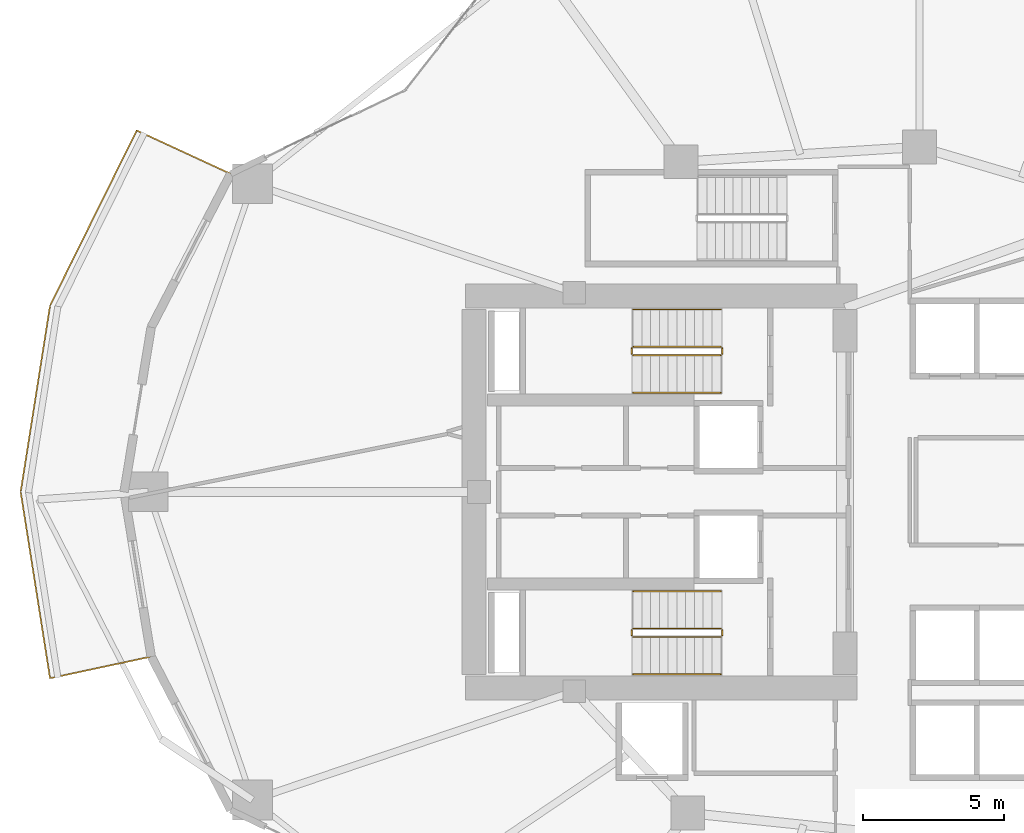
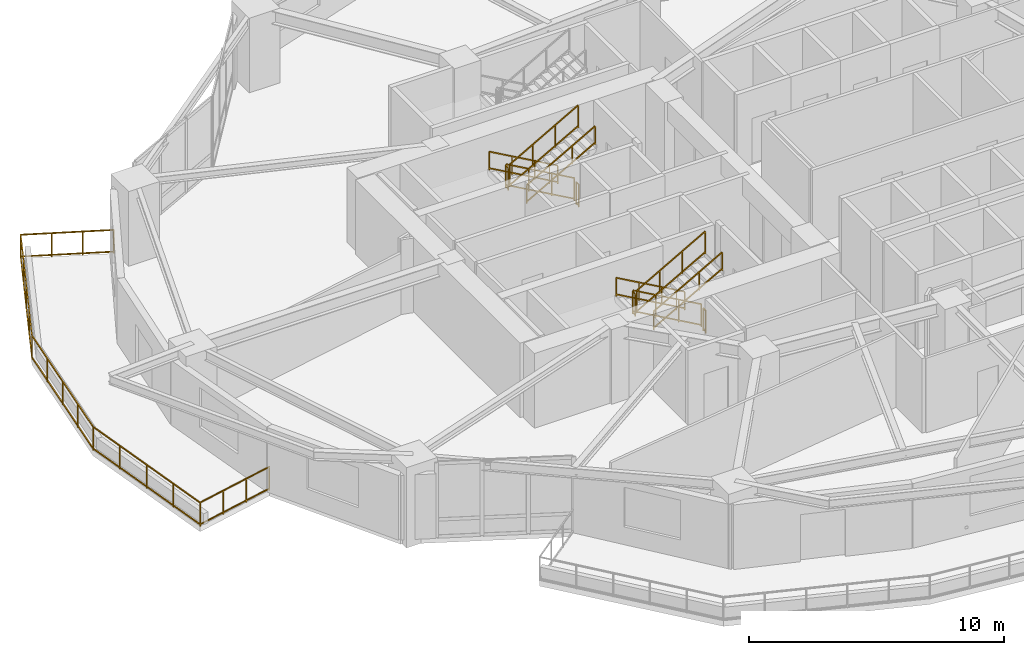
# One storey, part 12 of 14: 13 railings.
"""IFC4 building model written with IfcOpenShell, lengths in metres."""

from ifc_helpers import new_model, si_unit, direction, frame, origin, origin_2d, place, context, subcontext, project, spatial, rectangle, extrude, material, type_object, element, save


model = new_model("IFC4")

# Units and contexts
model_context = context("Model", 3, precision=1e-05, world=origin(), true_north=direction((0.0, 1.0)))
body_context = subcontext(model_context, "Body", "Model", "MODEL_VIEW")
ifc_project = project(units=[si_unit("LENGTHUNIT", "METRE"), si_unit("AREAUNIT", "SQUARE_METRE"), si_unit("VOLUMEUNIT", "CUBIC_METRE"), si_unit("PLANEANGLEUNIT", "RADIAN"), si_unit("MASSUNIT", "GRAM", prefix="KILO")], contexts=[model_context])

# Site, building, storey
site_placement = place(None, origin())
site = spatial("IfcSite", under=ifc_project, at=site_placement, CompositionType="ELEMENT")
building_placement = place(site_placement, origin())
building = spatial("IfcBuilding", under=site, at=building_placement, Name="Kolvaren Gate Tower and Convention Centre", CompositionType="ELEMENT")
storey_placement = place(building_placement, frame((0.0, 0.0, 45.75)))
storey = spatial("IfcBuildingStorey", under=building, at=storey_placement, Name="L10", CompositionType="ELEMENT", Elevation=45.75)

# Railings
ifc_material = material(Name="Brushed Stainless Steel Grade 316L", Category="steel")
railing_type_1 = type_object("IfcRailingType", Name="ARCH-RL-GUARD-1150", PredefinedType="GUARDRAIL", material=ifc_material)
railing_1_placement = place(storey_placement, frame((23.10009765625, 32.1298828125, 0.175048828125)))
element("IfcRailing", 1, at=railing_1_placement, inside=storey, type_object=railing_type_1, Name="L10 ST-T1 stair guard 1", PredefinedType="GUARDRAIL", context=body_context, shape_type="SweptSolid", body=[
    extrude(rectangle(XDim=0.048095703125, YDim=0.048095703125, at=origin_2d()), frame((0.0, 0.0, 1.076171875), z_axis=(-0.870830938388, 0.0, 0.491582624537), x_axis=(0.0, -1.0, 0.0)), (0.0, 0.0, 1.0), 3.559814453125),
    extrude(rectangle(XDim=0.048095703125, YDim=0.048095703125, at=origin_2d()), frame((0.0, 0.0, 0.083984375), z_axis=(-0.870830938388, 0.0, 0.491582624537), x_axis=(0.0, -1.0, 0.0)), (0.0, 0.0, 1.0), 3.559814453125),
    extrude(rectangle(XDim=0.0419921875, YDim=0.0419921875, at=origin_2d()), origin(), (0.0, 0.0, 1.0), 1.050048828125),
    extrude(rectangle(XDim=0.0419921875, YDim=0.0419921875, at=origin_2d()), frame((-3.10009765625, 0.0, 1.75)), (0.0, 0.0, 1.0), 1.050048828125),
    extrude(rectangle(XDim=0.0419921875, YDim=0.0419921875, at=origin_2d()), frame((-1.033447265625, 0.0, 0.583251953125)), (0.0, 0.0, 1.0), 1.050048828125),
    extrude(rectangle(XDim=0.0419921875, YDim=0.0419921875, at=origin_2d()), frame((-2.066650390625, 0.0, 1.166748046875)), (0.0, 0.0, 1.0), 1.050048828125),
])
railing_2_placement = place(storey_placement, frame((19.949951171875, 32.080078125, 1.925048828125)))
element("IfcRailing", 2, at=railing_2_placement, inside=storey, type_object=railing_type_1, Name="L10 ST-T1 stair guard 2", PredefinedType="GUARDRAIL", context=body_context, shape_type="SweptSolid", body=[
    extrude(rectangle(XDim=0.048095703125, YDim=0.048095703125, at=origin_2d()), frame((0.0, 0.0, 1.076171875), z_axis=(0.0, -1.0, 0.0), x_axis=(1.0, 0.0, 0.0)), (0.0, 0.0, 1.0), 0.2001953125),
    extrude(rectangle(XDim=0.048095703125, YDim=0.048095703125, at=origin_2d()), frame((0.0, 0.0, 0.083984375), z_axis=(0.0, -1.0, 0.0), x_axis=(1.0, 0.0, 0.0)), (0.0, 0.0, 1.0), 0.2001953125),
    extrude(rectangle(XDim=0.0419921875, YDim=0.0419921875, at=origin_2d()), origin(), (0.0, 0.0, 1.0), 1.050048828125),
    extrude(rectangle(XDim=0.0419921875, YDim=0.0419921875, at=origin_2d()), frame((0.0, -0.2001953125, 0.0)), (0.0, 0.0, 1.0), 1.050048828125),
])
railing_3_placement = place(storey_placement, frame((20.0, 31.830078125, 2.10009765625)))
element("IfcRailing", 3, at=railing_3_placement, inside=storey, type_object=railing_type_1, Name="L10 ST-T1 stair guard 3", PredefinedType="GUARDRAIL", context=body_context, shape_type="SweptSolid", body=[
    extrude(rectangle(XDim=0.048095703125, YDim=0.048095703125, at=origin_2d()), frame((0.0, 0.0, 1.076171875), z_axis=(0.870830938388, 0.0, 0.491582624537), x_axis=(0.0, 1.0, 0.0)), (0.0, 0.0, 1.0), 3.559814453125),
    extrude(rectangle(XDim=0.048095703125, YDim=0.048095703125, at=origin_2d()), frame((0.0, 0.0, 0.083984375), z_axis=(0.870830938388, 0.0, 0.491582624537), x_axis=(0.0, 1.0, 0.0)), (0.0, 0.0, 1.0), 3.559814453125),
    extrude(rectangle(XDim=0.0419921875, YDim=0.0419921875, at=origin_2d()), origin(), (0.0, 0.0, 1.0), 1.050048828125),
    extrude(rectangle(XDim=0.0419921875, YDim=0.0419921875, at=origin_2d()), frame((3.10009765625, 0.0, 1.75)), (0.0, 0.0, 1.0), 1.050048828125),
    extrude(rectangle(XDim=0.0419921875, YDim=0.0419921875, at=origin_2d()), frame((1.033447265625, 0.0, 0.583251953125)), (0.0, 0.0, 1.0), 1.050048828125),
    extrude(rectangle(XDim=0.0419921875, YDim=0.0419921875, at=origin_2d()), frame((2.066650390625, 0.0, 1.166748046875)), (0.0, 0.0, 1.0), 1.050048828125),
])
railing_4_placement = place(storey_placement, frame((23.14990234375, 32.080078125, 0.0)))
element("IfcRailing", 4, at=railing_4_placement, inside=storey, type_object=railing_type_1, Name="L10 ST-T1 stair guard 4", PredefinedType="GUARDRAIL", context=body_context, shape_type="SweptSolid", body=[
    extrude(rectangle(XDim=0.048095703125, YDim=0.048095703125, at=origin_2d()), frame((0.0, 0.0, 1.076171875), z_axis=(0.0, -1.0, 0.0), x_axis=(1.0, 0.0, 0.0)), (0.0, 0.0, 1.0), 0.2001953125),
    extrude(rectangle(XDim=0.048095703125, YDim=0.048095703125, at=origin_2d()), frame((0.0, 0.0, 0.083984375), z_axis=(0.0, -1.0, 0.0), x_axis=(1.0, 0.0, 0.0)), (0.0, 0.0, 1.0), 0.2001953125),
    extrude(rectangle(XDim=0.0419921875, YDim=0.0419921875, at=origin_2d()), origin(), (0.0, 0.0, 1.0), 1.050048828125),
    extrude(rectangle(XDim=0.0419921875, YDim=0.0419921875, at=origin_2d()), frame((0.0, -0.2001953125, 0.0)), (0.0, 0.0, 1.0), 1.050048828125),
])
railing_5_placement = place(storey_placement, frame((23.10009765625, 22.169921875, 0.175048828125)))
element("IfcRailing", 5, at=railing_5_placement, inside=storey, type_object=railing_type_1, Name="L10 ST-T2 stair guard 1", PredefinedType="GUARDRAIL", context=body_context, shape_type="SweptSolid", body=[
    extrude(rectangle(XDim=0.048095703125, YDim=0.048095703125, at=origin_2d()), frame((0.0, 0.0, 1.076171875), z_axis=(-0.870830938388, 0.0, 0.491582624537), x_axis=(0.0, -1.0, 0.0)), (0.0, 0.0, 1.0), 3.559814453125),
    extrude(rectangle(XDim=0.048095703125, YDim=0.048095703125, at=origin_2d()), frame((0.0, 0.0, 0.083984375), z_axis=(-0.870830938388, 0.0, 0.491582624537), x_axis=(0.0, -1.0, 0.0)), (0.0, 0.0, 1.0), 3.559814453125),
    extrude(rectangle(XDim=0.0419921875, YDim=0.0419921875, at=origin_2d()), origin(), (0.0, 0.0, 1.0), 1.050048828125),
    extrude(rectangle(XDim=0.0419921875, YDim=0.0419921875, at=origin_2d()), frame((-3.10009765625, 0.0, 1.75)), (0.0, 0.0, 1.0), 1.050048828125),
    extrude(rectangle(XDim=0.0419921875, YDim=0.0419921875, at=origin_2d()), frame((-1.033447265625, 0.0, 0.583251953125)), (0.0, 0.0, 1.0), 1.050048828125),
    extrude(rectangle(XDim=0.0419921875, YDim=0.0419921875, at=origin_2d()), frame((-2.066650390625, 0.0, 1.166748046875)), (0.0, 0.0, 1.0), 1.050048828125),
])
railing_6_placement = place(storey_placement, frame((19.949951171875, 22.1201171875, 1.925048828125)))
element("IfcRailing", 6, at=railing_6_placement, inside=storey, type_object=railing_type_1, Name="L10 ST-T2 stair guard 2", PredefinedType="GUARDRAIL", context=body_context, shape_type="SweptSolid", body=[
    extrude(rectangle(XDim=0.048095703125, YDim=0.048095703125, at=origin_2d()), frame((0.0, 0.0, 1.076171875), z_axis=(0.0, -1.0, 0.0), x_axis=(1.0, 0.0, 0.0)), (0.0, 0.0, 1.0), 0.2001953125),
    extrude(rectangle(XDim=0.048095703125, YDim=0.048095703125, at=origin_2d()), frame((0.0, 0.0, 0.083984375), z_axis=(0.0, -1.0, 0.0), x_axis=(1.0, 0.0, 0.0)), (0.0, 0.0, 1.0), 0.2001953125),
    extrude(rectangle(XDim=0.0419921875, YDim=0.0419921875, at=origin_2d()), origin(), (0.0, 0.0, 1.0), 1.050048828125),
    extrude(rectangle(XDim=0.0419921875, YDim=0.0419921875, at=origin_2d()), frame((0.0, -0.2001953125, 0.0)), (0.0, 0.0, 1.0), 1.050048828125),
])
railing_7_placement = place(storey_placement, frame((20.0, 21.8701171875, 2.10009765625)))
element("IfcRailing", 7, at=railing_7_placement, inside=storey, type_object=railing_type_1, Name="L10 ST-T2 stair guard 3", PredefinedType="GUARDRAIL", context=body_context, shape_type="SweptSolid", body=[
    extrude(rectangle(XDim=0.048095703125, YDim=0.048095703125, at=origin_2d()), frame((0.0, 0.0, 1.076171875), z_axis=(0.870830938388, 0.0, 0.491582624537), x_axis=(0.0, 1.0, 0.0)), (0.0, 0.0, 1.0), 3.559814453125),
    extrude(rectangle(XDim=0.048095703125, YDim=0.048095703125, at=origin_2d()), frame((0.0, 0.0, 0.083984375), z_axis=(0.870830938388, 0.0, 0.491582624537), x_axis=(0.0, 1.0, 0.0)), (0.0, 0.0, 1.0), 3.559814453125),
    extrude(rectangle(XDim=0.0419921875, YDim=0.0419921875, at=origin_2d()), origin(), (0.0, 0.0, 1.0), 1.050048828125),
    extrude(rectangle(XDim=0.0419921875, YDim=0.0419921875, at=origin_2d()), frame((3.10009765625, 0.0, 1.75)), (0.0, 0.0, 1.0), 1.050048828125),
    extrude(rectangle(XDim=0.0419921875, YDim=0.0419921875, at=origin_2d()), frame((1.033447265625, 0.0, 0.583251953125)), (0.0, 0.0, 1.0), 1.050048828125),
    extrude(rectangle(XDim=0.0419921875, YDim=0.0419921875, at=origin_2d()), frame((2.066650390625, 0.0, 1.166748046875)), (0.0, 0.0, 1.0), 1.050048828125),
])
railing_8_placement = place(storey_placement, frame((23.14990234375, 22.1201171875, 0.0)))
element("IfcRailing", 8, at=railing_8_placement, inside=storey, type_object=railing_type_1, Name="L10 ST-T2 stair guard 4", PredefinedType="GUARDRAIL", context=body_context, shape_type="SweptSolid", body=[
    extrude(rectangle(XDim=0.048095703125, YDim=0.048095703125, at=origin_2d()), frame((0.0, 0.0, 1.076171875), z_axis=(0.0, -1.0, 0.0), x_axis=(1.0, 0.0, 0.0)), (0.0, 0.0, 1.0), 0.2001953125),
    extrude(rectangle(XDim=0.048095703125, YDim=0.048095703125, at=origin_2d()), frame((0.0, 0.0, 0.083984375), z_axis=(0.0, -1.0, 0.0), x_axis=(1.0, 0.0, 0.0)), (0.0, 0.0, 1.0), 0.2001953125),
    extrude(rectangle(XDim=0.0419921875, YDim=0.0419921875, at=origin_2d()), origin(), (0.0, 0.0, 1.0), 1.050048828125),
    extrude(rectangle(XDim=0.0419921875, YDim=0.0419921875, at=origin_2d()), frame((0.0, -0.2001953125, 0.0)), (0.0, 0.0, 1.0), 1.050048828125),
])
railing_9_placement = place(storey_placement, frame((5.76806640625, 38.25, 0.0)))
element("IfcRailing", 9, at=railing_9_placement, inside=storey, type_object=railing_type_1, Name="Tower L10 Terrace Perimeter Guardrail GR-2", PredefinedType="GUARDRAIL", context=body_context, shape_type="SweptSolid", body=[
    extrude(rectangle(XDim=0.048095703125, YDim=0.048095703125, at=origin_2d()), frame((-0.025390625, 0.01171875, 1.1259765625), z_axis=(-0.907846116663, 0.419303503993, 0.0), x_axis=(-0.419303503993, -0.907846116663, 0.0)), (0.0, 0.0, 1.0), 3.60400390625),
    extrude(rectangle(XDim=0.048095703125, YDim=0.048095703125, at=origin_2d()), frame((-0.025390625, 0.01171875, 0.083984375), z_axis=(-0.907846116663, 0.419303503993, 0.0), x_axis=(-0.419303503993, -0.907846116663, 0.0)), (0.0, 0.0, 1.0), 3.60400390625),
    extrude(rectangle(XDim=0.048095703125, YDim=0.048095703125, at=origin_2d()), frame((-3.335205078125, 1.509521484375, 1.1259765625), z_axis=(-0.443578479433, -0.8962355341, 0.0), x_axis=(0.8962355341, -0.443578479433, 0.0)), (0.0, 0.0, 1.0), 6.855224609375),
    extrude(rectangle(XDim=0.048095703125, YDim=0.048095703125, at=origin_2d()), frame((-3.335205078125, 1.509521484375, 0.083984375), z_axis=(-0.443578479433, -0.8962355341, 0.0), x_axis=(0.8962355341, -0.443578479433, 0.0)), (0.0, 0.0, 1.0), 6.855224609375),
    extrude(rectangle(XDim=0.048095703125, YDim=0.048095703125, at=origin_2d()), frame((-6.392822265625, -4.68701171875, 1.1259765625), z_axis=(-0.155806612617, -0.987787578108, 0.0), x_axis=(0.987787578108, -0.155806612617, 0.0)), (0.0, 0.0, 1.0), 6.615966796875),
    extrude(rectangle(XDim=0.048095703125, YDim=0.048095703125, at=origin_2d()), frame((-6.392822265625, -4.68701171875, 0.083984375), z_axis=(-0.155806612617, -0.987787578108, 0.0), x_axis=(0.987787578108, -0.155806612617, 0.0)), (0.0, 0.0, 1.0), 6.615966796875),
    extrude(rectangle(XDim=0.048095703125, YDim=0.048095703125, at=origin_2d()), frame((-7.423583984375, -11.277587890625, 1.1259765625), z_axis=(0.155806612617, -0.987787578108, 0.0), x_axis=(0.987787578108, 0.155806612617, 0.0)), (0.0, 0.0, 1.0), 6.615966796875),
    extrude(rectangle(XDim=0.048095703125, YDim=0.048095703125, at=origin_2d()), frame((-7.423583984375, -11.277587890625, 0.083984375), z_axis=(0.155806612617, -0.987787578108, 0.0), x_axis=(0.987787578108, 0.155806612617, 0.0)), (0.0, 0.0, 1.0), 6.615966796875),
    extrude(rectangle(XDim=0.048095703125, YDim=0.048095703125, at=origin_2d()), frame((-6.361083984375, -17.834716796875, 1.1259765625), z_axis=(0.977788745232, 0.209592866525, 0.0), x_axis=(-0.209592866525, 0.977788745232, 0.0)), (0.0, 0.0, 1.0), 3.603759765625),
    extrude(rectangle(XDim=0.048095703125, YDim=0.048095703125, at=origin_2d()), frame((-6.361083984375, -17.834716796875, 0.083984375), z_axis=(0.977788745232, 0.209592866525, 0.0), x_axis=(-0.209592866525, 0.977788745232, 0.0)), (0.0, 0.0, 1.0), 3.603759765625),
    extrude(rectangle(XDim=0.0419921875, YDim=0.0419921875, at=origin_2d()), origin(), (0.0, 0.0, 1.0), 1.14990234375),
    extrude(rectangle(XDim=0.0419921875, YDim=0.0419921875, at=origin_2d()), frame((-3.32275390625, 1.53466796875, 0.0)), (0.0, 0.0, 1.0), 1.14990234375),
    extrude(rectangle(XDim=0.0419921875, YDim=0.0419921875, at=origin_2d()), frame((-1.107666015625, 0.511474609375, 0.0)), (0.0, 0.0, 1.0), 1.099853515625),
    extrude(rectangle(XDim=0.0419921875, YDim=0.0419921875, at=origin_2d()), frame((-2.215087890625, 1.023193359375, 0.0)), (0.0, 0.0, 1.0), 1.099853515625),
    extrude(rectangle(XDim=0.0419921875, YDim=0.0419921875, at=origin_2d()), frame((-6.388427734375, -4.659423828125, 0.0)), (0.0, 0.0, 1.0), 1.14990234375),
    extrude(rectangle(XDim=0.0419921875, YDim=0.0419921875, at=origin_2d()), frame((-4.089111328125, -0.013916015625, 0.0)), (0.0, 0.0, 1.0), 1.099853515625),
    extrude(rectangle(XDim=0.0419921875, YDim=0.0419921875, at=origin_2d()), frame((-4.85546875, -1.5625, 0.0)), (0.0, 0.0, 1.0), 1.099853515625),
    extrude(rectangle(XDim=0.0419921875, YDim=0.0419921875, at=origin_2d()), frame((-5.6220703125, -3.11083984375, 0.0)), (0.0, 0.0, 1.0), 1.099853515625),
    extrude(rectangle(XDim=0.0419921875, YDim=0.0419921875, at=origin_2d()), frame((-7.427978515625, -11.25, 0.0)), (0.0, 0.0, 1.0), 1.14990234375),
    extrude(rectangle(XDim=0.0419921875, YDim=0.0419921875, at=origin_2d()), frame((-6.6484375, -6.30712890625, 0.0)), (0.0, 0.0, 1.0), 1.099853515625),
    extrude(rectangle(XDim=0.0419921875, YDim=0.0419921875, at=origin_2d()), frame((-6.908203125, -7.95458984375, 0.0)), (0.0, 0.0, 1.0), 1.099853515625),
    extrude(rectangle(XDim=0.0419921875, YDim=0.0419921875, at=origin_2d()), frame((-7.16796875, -9.602294921875, 0.0)), (0.0, 0.0, 1.0), 1.099853515625),
    extrude(rectangle(XDim=0.0419921875, YDim=0.0419921875, at=origin_2d()), frame((-6.388427734375, -17.840576171875, 0.0)), (0.0, 0.0, 1.0), 1.14990234375),
    extrude(rectangle(XDim=0.0419921875, YDim=0.0419921875, at=origin_2d()), frame((-7.16796875, -12.897705078125, 0.0)), (0.0, 0.0, 1.0), 1.099853515625),
    extrude(rectangle(XDim=0.0419921875, YDim=0.0419921875, at=origin_2d()), frame((-6.908203125, -14.54541015625, 0.0)), (0.0, 0.0, 1.0), 1.099853515625),
    extrude(rectangle(XDim=0.0419921875, YDim=0.0419921875, at=origin_2d()), frame((-6.6484375, -16.19287109375, 0.0)), (0.0, 0.0, 1.0), 1.099853515625),
    extrude(rectangle(XDim=0.0419921875, YDim=0.0419921875, at=origin_2d()), frame((-2.809814453125, -17.073486328125, 0.0)), (0.0, 0.0, 1.0), 1.14990234375),
    extrude(rectangle(XDim=0.0419921875, YDim=0.0419921875, at=origin_2d()), frame((-5.195556640625, -17.5849609375, 0.0)), (0.0, 0.0, 1.0), 1.099853515625),
    extrude(rectangle(XDim=0.0419921875, YDim=0.0419921875, at=origin_2d()), frame((-4.002685546875, -17.3291015625, 0.0)), (0.0, 0.0, 1.0), 1.099853515625),
])
railing_type_2 = type_object("IfcRailingType", Name="ARCH-RL-HANDRAIL-920", PredefinedType="HANDRAIL", material=ifc_material)
railing_10_placement = place(storey_placement, frame((23.10009765625, 33.449951171875, 0.175048828125)))
element("IfcRailing", 10, at=railing_10_placement, inside=storey, type_object=railing_type_2, Name="L10 ST-T1 stair handrail 1", PredefinedType="HANDRAIL", context=body_context, shape_type="SweptSolid", body=[
    extrude(rectangle(XDim=0.048095703125, YDim=0.048095703125, at=origin_2d()), frame((0.0, 0.0, 0.8759765625), z_axis=(-0.870830938388, 0.0, 0.491582624537), x_axis=(0.0, -1.0, 0.0)), (0.0, 0.0, 1.0), 3.559814453125),
    extrude(rectangle(XDim=0.048095703125, YDim=0.048095703125, at=origin_2d()), frame((0.0, 0.0, 0.083984375), z_axis=(-0.870830938388, 0.0, 0.491582624537), x_axis=(0.0, -1.0, 0.0)), (0.0, 0.0, 1.0), 3.559814453125),
    extrude(rectangle(XDim=0.0419921875, YDim=0.0419921875, at=origin_2d()), origin(), (0.0, 0.0, 1.0), 0.849853515625),
    extrude(rectangle(XDim=0.0419921875, YDim=0.0419921875, at=origin_2d()), frame((-3.10009765625, 0.0, 1.75)), (0.0, 0.0, 1.0), 0.849853515625),
    extrude(rectangle(XDim=0.0419921875, YDim=0.0419921875, at=origin_2d()), frame((-1.033447265625, 0.0, 0.583251953125)), (0.0, 0.0, 1.0), 0.849853515625),
    extrude(rectangle(XDim=0.0419921875, YDim=0.0419921875, at=origin_2d()), frame((-2.066650390625, 0.0, 1.166748046875)), (0.0, 0.0, 1.0), 0.849853515625),
])
railing_11_placement = place(storey_placement, frame((20.0, 30.510009765625, 2.10009765625)))
element("IfcRailing", 11, at=railing_11_placement, inside=storey, type_object=railing_type_2, Name="L10 ST-T1 stair handrail 2", PredefinedType="HANDRAIL", context=body_context, shape_type="SweptSolid", body=[
    extrude(rectangle(XDim=0.048095703125, YDim=0.048095703125, at=origin_2d()), frame((0.0, 0.0, 0.8759765625), z_axis=(0.870830938388, 0.0, 0.491582624537), x_axis=(0.0, 1.0, 0.0)), (0.0, 0.0, 1.0), 3.559814453125),
    extrude(rectangle(XDim=0.048095703125, YDim=0.048095703125, at=origin_2d()), frame((0.0, 0.0, 0.083984375), z_axis=(0.870830938388, 0.0, 0.491582624537), x_axis=(0.0, 1.0, 0.0)), (0.0, 0.0, 1.0), 3.559814453125),
    extrude(rectangle(XDim=0.0419921875, YDim=0.0419921875, at=origin_2d()), origin(), (0.0, 0.0, 1.0), 0.849853515625),
    extrude(rectangle(XDim=0.0419921875, YDim=0.0419921875, at=origin_2d()), frame((3.10009765625, 0.0, 1.75)), (0.0, 0.0, 1.0), 0.849853515625),
    extrude(rectangle(XDim=0.0419921875, YDim=0.0419921875, at=origin_2d()), frame((1.033447265625, 0.0, 0.583251953125)), (0.0, 0.0, 1.0), 0.849853515625),
    extrude(rectangle(XDim=0.0419921875, YDim=0.0419921875, at=origin_2d()), frame((2.066650390625, 0.0, 1.166748046875)), (0.0, 0.0, 1.0), 0.849853515625),
])
railing_12_placement = place(storey_placement, frame((23.10009765625, 23.489990234375, 0.175048828125)))
element("IfcRailing", 12, at=railing_12_placement, inside=storey, type_object=railing_type_2, Name="L10 ST-T2 stair handrail 1", PredefinedType="HANDRAIL", context=body_context, shape_type="SweptSolid", body=[
    extrude(rectangle(XDim=0.048095703125, YDim=0.048095703125, at=origin_2d()), frame((0.0, 0.0, 0.8759765625), z_axis=(-0.870830938388, 0.0, 0.491582624537), x_axis=(0.0, -1.0, 0.0)), (0.0, 0.0, 1.0), 3.559814453125),
    extrude(rectangle(XDim=0.048095703125, YDim=0.048095703125, at=origin_2d()), frame((0.0, 0.0, 0.083984375), z_axis=(-0.870830938388, 0.0, 0.491582624537), x_axis=(0.0, -1.0, 0.0)), (0.0, 0.0, 1.0), 3.559814453125),
    extrude(rectangle(XDim=0.0419921875, YDim=0.0419921875, at=origin_2d()), origin(), (0.0, 0.0, 1.0), 0.849853515625),
    extrude(rectangle(XDim=0.0419921875, YDim=0.0419921875, at=origin_2d()), frame((-3.10009765625, 0.0, 1.75)), (0.0, 0.0, 1.0), 0.849853515625),
    extrude(rectangle(XDim=0.0419921875, YDim=0.0419921875, at=origin_2d()), frame((-1.033447265625, 0.0, 0.583251953125)), (0.0, 0.0, 1.0), 0.849853515625),
    extrude(rectangle(XDim=0.0419921875, YDim=0.0419921875, at=origin_2d()), frame((-2.066650390625, 0.0, 1.166748046875)), (0.0, 0.0, 1.0), 0.849853515625),
])
railing_13_placement = place(storey_placement, frame((20.0, 20.550048828125, 2.10009765625)))
element("IfcRailing", 13, at=railing_13_placement, inside=storey, type_object=railing_type_2, Name="L10 ST-T2 stair handrail 2", PredefinedType="HANDRAIL", context=body_context, shape_type="SweptSolid", body=[
    extrude(rectangle(XDim=0.048095703125, YDim=0.048095703125, at=origin_2d()), frame((0.0, 0.0, 0.8759765625), z_axis=(0.870830938388, 0.0, 0.491582624537), x_axis=(0.0, 1.0, 0.0)), (0.0, 0.0, 1.0), 3.559814453125),
    extrude(rectangle(XDim=0.048095703125, YDim=0.048095703125, at=origin_2d()), frame((0.0, 0.0, 0.083984375), z_axis=(0.870830938388, 0.0, 0.491582624537), x_axis=(0.0, 1.0, 0.0)), (0.0, 0.0, 1.0), 3.559814453125),
    extrude(rectangle(XDim=0.0419921875, YDim=0.0419921875, at=origin_2d()), origin(), (0.0, 0.0, 1.0), 0.849853515625),
    extrude(rectangle(XDim=0.0419921875, YDim=0.0419921875, at=origin_2d()), frame((3.10009765625, 0.0, 1.75)), (0.0, 0.0, 1.0), 0.849853515625),
    extrude(rectangle(XDim=0.0419921875, YDim=0.0419921875, at=origin_2d()), frame((1.033447265625, 0.0, 0.583251953125)), (0.0, 0.0, 1.0), 0.849853515625),
    extrude(rectangle(XDim=0.0419921875, YDim=0.0419921875, at=origin_2d()), frame((2.066650390625, 0.0, 1.166748046875)), (0.0, 0.0, 1.0), 0.849853515625),
])

save(model, "model.ifc")
